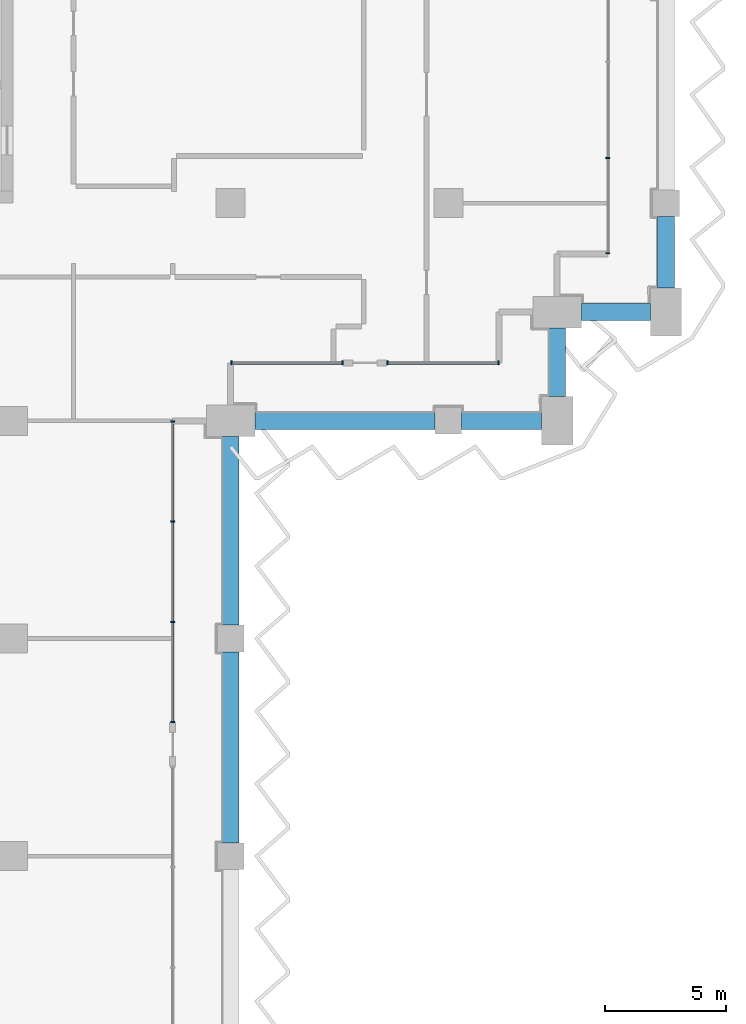
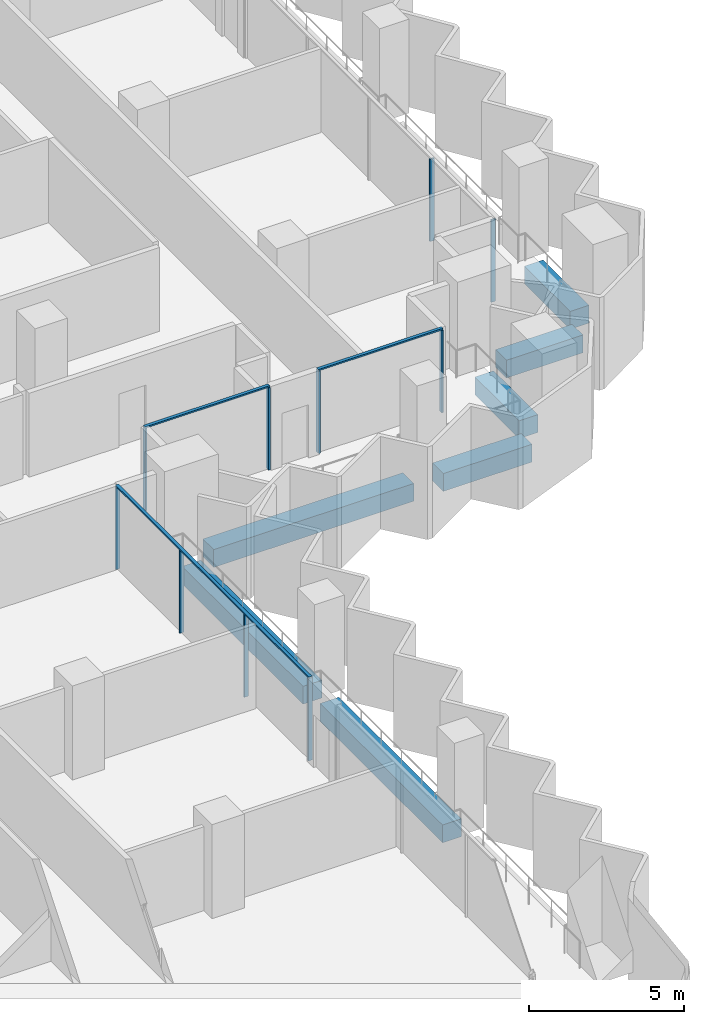
# One storey, part 4 of 22: 13 members, 7 beams, 4 elements without a shape of their own.
"""IFC4 building model written with IfcOpenShell, lengths in metres."""

from ifc_helpers import new_model, si_unit, direction, frame, origin, origin_2d, place, context, subcontext, project, spatial, rectangle, extrude, material, material_profile, profile_set, type_object, element, aggregate, save


model = new_model("IFC4")

# Units and contexts
model_context = context("Model", 3, precision=1e-05, world=origin(), true_north=direction((0.0, 1.0)))
body_context = subcontext(model_context, "Body", "Model", "MODEL_VIEW")
ifc_project = project(units=[si_unit("LENGTHUNIT", "METRE"), si_unit("AREAUNIT", "SQUARE_METRE"), si_unit("VOLUMEUNIT", "CUBIC_METRE"), si_unit("PLANEANGLEUNIT", "RADIAN"), si_unit("MASSUNIT", "GRAM", prefix="KILO")], contexts=[model_context])

# Site, building, storey
site_placement = place(None, origin())
site = spatial("IfcSite", under=ifc_project, at=site_placement, CompositionType="ELEMENT")
building_placement = place(site_placement, origin())
building = spatial("IfcBuilding", under=site, at=building_placement, Name="Hunhe Ridgeline Campus", CompositionType="ELEMENT")
storey_placement = place(building_placement, frame((0.0, 0.0, 159.699951171875)))
storey = spatial("IfcBuildingStorey", under=building, at=storey_placement, Name="L40", CompositionType="ELEMENT", Elevation=159.699951171875)

# Curtain wall, members
ifc_material_1 = material(Name="Aluminium 6063", Category="aluminium")
curtain_wall_type = type_object("IfcCurtainWallType", Name="Curtain wall CW-1", PredefinedType="NOTDEFINED", material=ifc_material_1)
curtain_wall_1_placement = place(storey_placement, origin())
curtain_wall_1 = element("IfcCurtainWall", 1, at=curtain_wall_1_placement, inside=storey, type_object=curtain_wall_type, Name="Curtain wall 12", PredefinedType="NOTDEFINED")
ifc_material_profile_1 = material_profile(ifc_material_1, rectangle(XDim=0.159912109375, YDim=0.06005859375, at=origin_2d()))
ifc_profile_set_1 = profile_set([ifc_material_profile_1], Name="Aluminium 6063")
member_type_1 = type_object("IfcMemberType", Name="CW-1 aluminium mullion", PredefinedType="MULLION", material=ifc_profile_set_1)
member_1_placement = place(storey_placement, frame((42.59912109375, 41.548583984375, 0.0), z_axis=(0.0, 0.0, 1.0), x_axis=(-0.99999999999, 4.406345e-06, 0.0)))
member_1 = element("IfcMember", 2, at=member_1_placement, type_object=member_type_1, Name="CW-1 mullion 1", PredefinedType="MULLION", context=body_context, shape_type="SweptSolid", body=[
    extrude(rectangle(XDim=0.159912109375, YDim=0.06005859375, at=origin_2d()), origin(), (0.0, 0.0, 1.0), 3.239990234375),
])
member_2_placement = place(storey_placement, frame((42.59912109375, 45.67919921875, 0.0), z_axis=(0.0, 0.0, 1.0), x_axis=(-0.99999999999, 4.406345e-06, 0.0)))
member_2 = element("IfcMember", 3, at=member_2_placement, type_object=member_type_1, Name="CW-1 mullion 2", PredefinedType="MULLION", context=body_context, shape_type="SweptSolid", body=[
    extrude(rectangle(XDim=0.159912109375, YDim=0.06005859375, at=origin_2d()), origin(), (0.0, 0.0, 1.0), 3.239990234375),
])
member_3_placement = place(storey_placement, frame((42.59912109375, 49.83984375, 0.0), z_axis=(0.0, 0.0, 1.0), x_axis=(-0.99999999999, 4.406345e-06, 0.0)))
member_3 = element("IfcMember", 4, at=member_3_placement, type_object=member_type_1, Name="CW-1 mullion 3", PredefinedType="MULLION", context=body_context, shape_type="SweptSolid", body=[
    extrude(rectangle(XDim=0.159912109375, YDim=0.06005859375, at=origin_2d()), origin(), (0.0, 0.0, 1.0), 3.239990234375),
])
member_4_placement = place(storey_placement, frame((42.59912109375, 53.970458984375, 0.0), z_axis=(0.0, 0.0, 1.0), x_axis=(-0.99999999999, 4.406345e-06, 0.0)))
member_4 = element("IfcMember", 5, at=member_4_placement, type_object=member_type_1, Name="CW-1 mullion 4", PredefinedType="MULLION", context=body_context, shape_type="SweptSolid", body=[
    extrude(rectangle(XDim=0.159912109375, YDim=0.06005859375, at=origin_2d()), origin(), (0.0, 0.0, 1.0), 3.239990234375),
])

curtain_wall_2_placement = place(storey_placement, origin())
curtain_wall_2 = element("IfcCurtainWall", 6, at=curtain_wall_2_placement, inside=storey, type_object=curtain_wall_type, Name="Curtain wall 13", PredefinedType="NOTDEFINED")
member_5_placement = place(storey_placement, frame((45.02978515625, 56.40087890625, 0.0), z_axis=(0.0, 0.0, 1.0), x_axis=(-1.72058e-06, 0.999999999999, 0.0)))
member_5 = element("IfcMember", 7, at=member_5_placement, type_object=member_type_1, Name="CW-1 mullion 1", PredefinedType="MULLION", context=body_context, shape_type="SweptSolid", body=[
    extrude(rectangle(XDim=0.159912109375, YDim=0.06005859375, at=origin_2d()), origin(), (0.0, 0.0, 1.0), 3.239990234375),
])
member_6_placement = place(storey_placement, frame((49.619384765625, 56.40087890625, 0.0), z_axis=(0.0, 0.0, 1.0), x_axis=(-1.72058e-06, 0.999999999999, 0.0)))
member_6 = element("IfcMember", 8, at=member_6_placement, type_object=member_type_1, Name="CW-1 mullion 2", PredefinedType="MULLION", context=body_context, shape_type="SweptSolid", body=[
    extrude(rectangle(XDim=0.159912109375, YDim=0.06005859375, at=origin_2d()), origin(), (0.0, 0.0, 1.0), 3.239990234375),
])

curtain_wall_3_placement = place(storey_placement, origin())
curtain_wall_3 = element("IfcCurtainWall", 9, at=curtain_wall_3_placement, inside=storey, type_object=curtain_wall_type, Name="Curtain wall 14", PredefinedType="NOTDEFINED")
member_7_placement = place(storey_placement, frame((51.4794921875, 56.40087890625, 0.0), z_axis=(0.0, 0.0, 1.0), x_axis=(-1.72058e-06, 0.999999999999, 0.0)))
member_7 = element("IfcMember", 10, at=member_7_placement, type_object=member_type_1, Name="CW-1 mullion 1", PredefinedType="MULLION", context=body_context, shape_type="SweptSolid", body=[
    extrude(rectangle(XDim=0.159912109375, YDim=0.06005859375, at=origin_2d()), origin(), (0.0, 0.0, 1.0), 3.239990234375),
])
member_8_placement = place(storey_placement, frame((56.069091796875, 56.40087890625, 0.0), z_axis=(0.0, 0.0, 1.0), x_axis=(-1.72058e-06, 0.999999999999, 0.0)))
member_8 = element("IfcMember", 11, at=member_8_placement, type_object=member_type_1, Name="CW-1 mullion 2", PredefinedType="MULLION", context=body_context, shape_type="SweptSolid", body=[
    extrude(rectangle(XDim=0.159912109375, YDim=0.06005859375, at=origin_2d()), origin(), (0.0, 0.0, 1.0), 3.239990234375),
])

curtain_wall_4_placement = place(storey_placement, origin())
curtain_wall_4 = element("IfcCurtainWall", 12, at=curtain_wall_4_placement, inside=storey, type_object=curtain_wall_type, Name="Curtain wall 15", PredefinedType="NOTDEFINED")
member_9_placement = place(storey_placement, frame((60.59912109375, 60.930908203125, 0.0), z_axis=(0.0, 0.0, 1.0), x_axis=(-1.0, 0.0, 0.0)))
member_9 = element("IfcMember", 13, at=member_9_placement, type_object=member_type_1, Name="CW-1 mullion 1", PredefinedType="MULLION", context=body_context, shape_type="SweptSolid", body=[
    extrude(rectangle(XDim=0.159912109375, YDim=0.06005859375, at=origin_2d()), origin(), (0.0, 0.0, 1.0), 3.239990234375),
])
member_10_placement = place(storey_placement, frame((60.59912109375, 64.8759765625, 0.0), z_axis=(0.0, 0.0, 1.0), x_axis=(-1.0, 0.0, 0.0)))
member_10 = element("IfcMember", 14, at=member_10_placement, type_object=member_type_1, Name="CW-1 mullion 2", PredefinedType="MULLION", context=body_context, shape_type="SweptSolid", body=[
    extrude(rectangle(XDim=0.159912109375, YDim=0.06005859375, at=origin_2d()), origin(), (0.0, 0.0, 1.0), 3.239990234375),
])
aggregate(curtain_wall_4, [member_9, member_10])

# Member
ifc_material_profile_2 = material_profile(ifc_material_1, rectangle(XDim=0.1201171875, YDim=0.06005859375, at=origin_2d()))
ifc_profile_set_2 = profile_set([ifc_material_profile_2], Name="Aluminium 6063")
member_type_2 = type_object("IfcMemberType", Name="CW-1 aluminium transom", PredefinedType="USERDEFINED", material=ifc_profile_set_2)
member_11_placement = place(storey_placement, frame((42.59912109375, 41.5185546875, 3.27001953125), z_axis=(0.0, 1.0, 0.0), x_axis=(-1.0, 0.0, 0.0)))
member_11 = element("IfcMember", 15, at=member_11_placement, type_object=member_type_2, Name="CW-1 transom 1", ObjectType="TRANSOM", PredefinedType="USERDEFINED", context=body_context, shape_type="SweptSolid", body=[
    extrude(rectangle(XDim=0.1201171875, YDim=0.06005859375, at=origin_2d()), origin(), (0.0, 0.0, 1.0), 12.48193359375),
])

aggregate(curtain_wall_1, [member_11, member_1, member_2, member_3, member_4])

member_12_placement = place(storey_placement, frame((44.999755859375, 56.40087890625, 3.27001953125), z_axis=(1.0, 0.0, 0.0), x_axis=(0.0, 1.0, 0.0)))
member_12 = element("IfcMember", 16, at=member_12_placement, type_object=member_type_2, Name="CW-1 transom 1", ObjectType="TRANSOM", PredefinedType="USERDEFINED", context=body_context, shape_type="SweptSolid", body=[
    extrude(rectangle(XDim=0.1201171875, YDim=0.06005859375, at=origin_2d()), origin(), (0.0, 0.0, 1.0), 4.649658203125),
])

aggregate(curtain_wall_2, [member_12, member_5, member_6])

member_13_placement = place(storey_placement, frame((51.449462890625, 56.40087890625, 3.27001953125), z_axis=(1.0, 0.0, 0.0), x_axis=(0.0, 1.0, 0.0)))
member_13 = element("IfcMember", 17, at=member_13_placement, type_object=member_type_2, Name="CW-1 transom 1", ObjectType="TRANSOM", PredefinedType="USERDEFINED", context=body_context, shape_type="SweptSolid", body=[
    extrude(rectangle(XDim=0.1201171875, YDim=0.06005859375, at=origin_2d()), origin(), (0.0, 0.0, 1.0), 4.649658203125),
])

aggregate(curtain_wall_3, [member_13, member_7, member_8])

# Beams
ifc_material_2 = material(Name="Concrete C60", Category="concrete")
ifc_material_profile_3 = material_profile(ifc_material_2, rectangle(XDim=0.699951171875, YDim=0.699951171875, at=origin_2d()))
ifc_profile_set_3 = profile_set([ifc_material_profile_3], Name="Concrete C60")
beam_type = type_object("IfcBeamType", Name="RC spandrel beam 700x700 Concrete C60", PredefinedType="SPANDREL", material=ifc_profile_set_3)
beam_1_placement = place(storey_placement, frame((45.0, 36.550048828125, -0.599853515625), z_axis=(0.0, 1.0, 0.0), x_axis=(-1.0, 0.0, 0.0)))
element("IfcBeam", 18, at=beam_1_placement, inside=storey, type_object=beam_type, Name="Spandrel beam B2-10 L40", PredefinedType="SPANDREL", context=body_context, shape_type="SweptSolid", body=[
    extrude(rectangle(XDim=0.699951171875, YDim=0.699951171875, at=origin_2d()), origin(), (0.0, 0.0, 1.0), 7.89990234375),
])
beam_2_placement = place(storey_placement, frame((45.0, 45.550048828125, -0.599853515625), z_axis=(0.0, 1.0, 0.0), x_axis=(-1.0, 0.0, 0.0)))
element("IfcBeam", 19, at=beam_2_placement, inside=storey, type_object=beam_type, Name="Spandrel beam B2-11 L40", PredefinedType="SPANDREL", context=body_context, shape_type="SweptSolid", body=[
    extrude(rectangle(XDim=0.699951171875, YDim=0.699951171875, at=origin_2d()), origin(), (0.0, 0.0, 1.0), 7.800048828125),
])
beam_3_placement = place(storey_placement, frame((46.0, 54.0, -0.599853515625), z_axis=(1.0, 0.0, 0.0), x_axis=(0.0, 1.0, 0.0)))
element("IfcBeam", 20, at=beam_3_placement, inside=storey, type_object=beam_type, Name="Spandrel beam B2-12 L40", PredefinedType="SPANDREL", context=body_context, shape_type="SweptSolid", body=[
    extrude(rectangle(XDim=0.699951171875, YDim=0.699951171875, at=origin_2d()), origin(), (0.0, 0.0, 1.0), 7.449951171875),
])
beam_4_placement = place(storey_placement, frame((54.550048828125, 54.0, -0.599853515625), z_axis=(1.0, 0.0, 0.0), x_axis=(0.0, 1.0, 0.0)))
element("IfcBeam", 21, at=beam_4_placement, inside=storey, type_object=beam_type, Name="Spandrel beam B2-13 L40", PredefinedType="SPANDREL", context=body_context, shape_type="SweptSolid", body=[
    extrude(rectangle(XDim=0.699951171875, YDim=0.699951171875, at=origin_2d()), origin(), (0.0, 0.0, 1.0), 3.300048828125),
])
for number, where, z_axis, x_axis, name in (
    (22, (58.5, 55.0, -0.599853515625), (0.0, 1.0, 0.0), (-1.0, 0.0, 0.0), "Spandrel beam B2-14 L40"),
    (23, (59.5, 58.5, -0.599853515625), (1.0, 0.0, 0.0), (0.0, 1.0, 0.0), "Spandrel beam B2-15 L40"),
):
    element("IfcBeam", number, at=place(storey_placement, frame(where, z_axis=z_axis, x_axis=x_axis)), inside=storey, type_object=beam_type, Name=name, PredefinedType="SPANDREL", context=body_context, shape_type="SweptSolid", body=[
        extrude(rectangle(XDim=0.699951171875, YDim=0.699951171875, at=origin_2d()), origin(), (0.0, 0.0, 1.0), 2.85009765625),
    ])
beam_5_placement = place(storey_placement, frame((63.0, 59.5, -0.599853515625), z_axis=(0.0, 1.0, 0.0), x_axis=(-1.0, 0.0, 0.0)))
element("IfcBeam", 24, at=beam_5_placement, inside=storey, type_object=beam_type, Name="Spandrel beam B2-16 L40", PredefinedType="SPANDREL", context=body_context, shape_type="SweptSolid", body=[
    extrude(rectangle(XDim=0.699951171875, YDim=0.699951171875, at=origin_2d()), origin(), (0.0, 0.0, 1.0), 2.949951171875),
])

save(model, "model.ifc")
